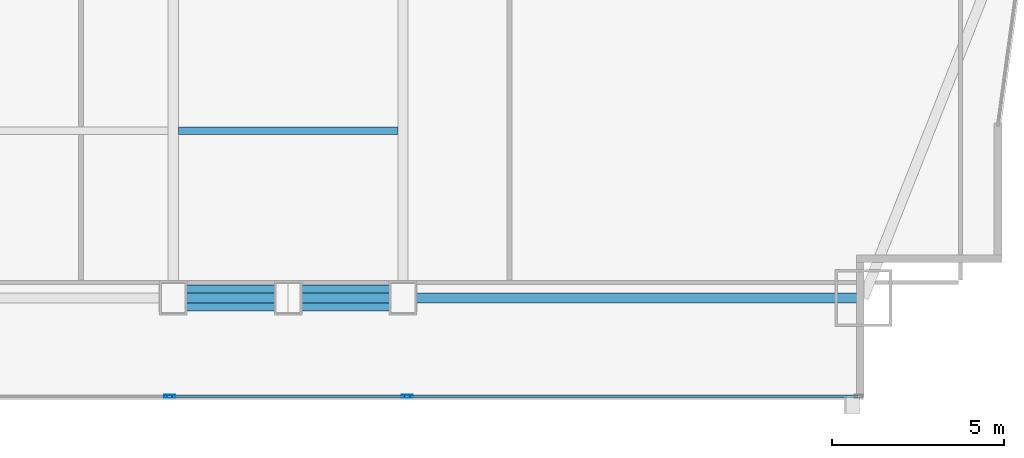
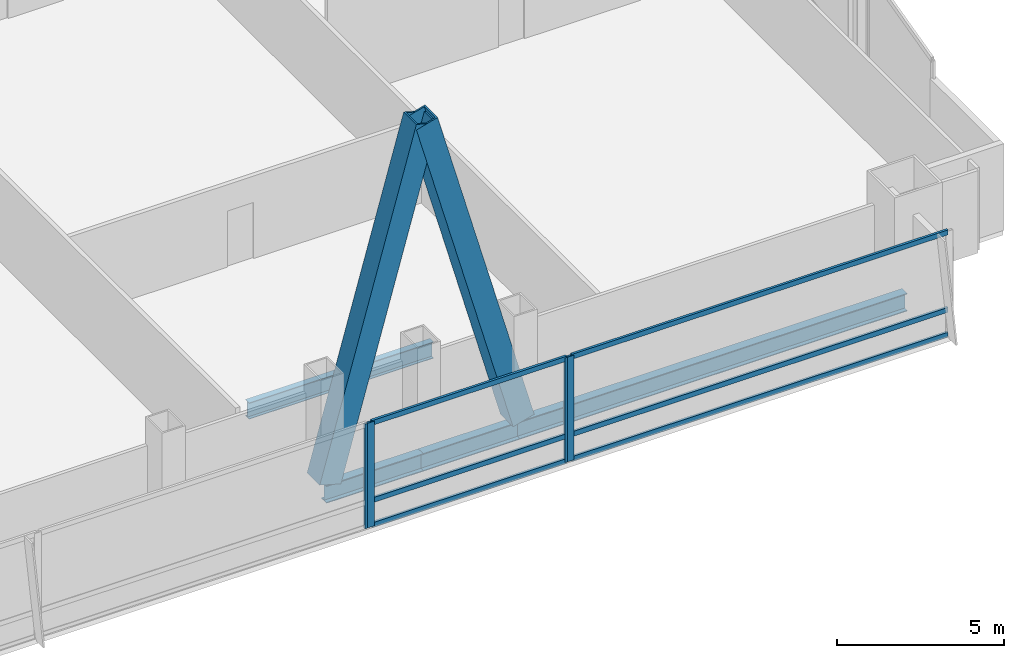
# One storey, part 14 of 35: 12 members, 4 beams, 3 elements without a shape of their own.
"""IFC4 building model written with IfcOpenShell, lengths in metres."""

from ifc_helpers import new_model, si_unit, direction, frame, origin, origin_2d, place, context, subcontext, project, spatial, hollow_rectangle, i_section, extrude, material, material_profile, profile_set, type_object, element, aggregate, save


model = new_model("IFC4")

# Units and contexts
model_context = context("Model", 3, precision=1e-05, world=origin(), true_north=direction((0.0, 1.0)))
body_context = subcontext(model_context, "Body", "Model", "MODEL_VIEW")
ifc_project = project(units=[si_unit("LENGTHUNIT", "METRE"), si_unit("AREAUNIT", "SQUARE_METRE"), si_unit("VOLUMEUNIT", "CUBIC_METRE"), si_unit("PLANEANGLEUNIT", "RADIAN"), si_unit("MASSUNIT", "GRAM", prefix="KILO")], contexts=[model_context])

# Site, building, storey
site_placement = place(None, origin())
site = spatial("IfcSite", under=ifc_project, at=site_placement, CompositionType="ELEMENT")
building_placement = place(site_placement, origin())
building = spatial("IfcBuilding", under=site, at=building_placement, Name="Khoronbel Lancet Exchange", CompositionType="ELEMENT")
storey_placement = place(building_placement, frame((0.0, 0.0, 37.800048828125)))
storey = spatial("IfcBuildingStorey", under=building, at=storey_placement, Name="L08", CompositionType="ELEMENT", Elevation=37.800048828125)

# Beams
ifc_material_1 = material(Name="Steel S355", Category="steel")
ifc_material_profile_1 = material_profile(ifc_material_1, i_section(OverallWidth=0.219970703125, OverallDepth=0.60009765625, WebThickness=0.011962890625, FlangeThickness=0.01904296875, at=origin_2d()), Name="IPE 600")
ifc_profile_set_1 = profile_set([ifc_material_profile_1], Name="Steel S355")
beam_type_1 = type_object("IfcBeamType", Name="BM-BJ1", PredefinedType="JOIST", material=ifc_profile_set_1)
beam_1_placement = place(storey_placement, frame((48.14990234375, 15.0, -0.47998046875), z_axis=(1.0, 0.0, 0.0), x_axis=(0.0, 1.0, 0.0)))
element("IfcBeam", 1, at=beam_1_placement, inside=storey, type_object=beam_type_1, Name="Level L08 secondary composite joist J05", PredefinedType="JOIST", context=body_context, shape_type="SweptSolid", body=[
    extrude(i_section(OverallWidth=0.219970703125, OverallDepth=0.60009765625, WebThickness=0.011962890625, FlangeThickness=0.01904296875, at=origin_2d()), origin(), (0.0, 0.0, 1.0), 6.375),
])
ifc_material_profile_2 = material_profile(ifc_material_1, i_section(OverallWidth=0.300048828125, OverallDepth=0.64990234375, WebThickness=0.01611328125, FlangeThickness=0.031005859375, at=origin_2d()), Name="HEB 650")
ifc_profile_set_2 = profile_set([ifc_material_profile_2], Name="Steel S355")
beam_type_2 = type_object("IfcBeamType", Name="BM-BSP1", PredefinedType="SPANDREL", material=ifc_profile_set_2)
beam_2_placement = place(storey_placement, frame((48.0, 10.14990234375, -0.505126953125), z_axis=(1.0, 0.0, 0.0), x_axis=(0.0, 1.0, 0.0)))
element("IfcBeam", 2, at=beam_2_placement, inside=storey, type_object=beam_type_2, Name="Level L08 perimeter spandrel beam SP07", PredefinedType="SPANDREL", context=body_context, shape_type="SweptSolid", body=[
    extrude(i_section(OverallWidth=0.300048828125, OverallDepth=0.64990234375, WebThickness=0.01611328125, FlangeThickness=0.031005859375, at=origin_2d()), origin(), (0.0, 0.0, 1.0), 3.33740234375),
])
beam_3_placement = place(storey_placement, frame((51.33740234375, 10.14990234375, -0.505126953125), z_axis=(1.0, 0.0, 0.0), x_axis=(0.0, 1.0, 0.0)))
element("IfcBeam", 3, at=beam_3_placement, inside=storey, type_object=beam_type_2, Name="Level L08 perimeter spandrel beam SP08", PredefinedType="SPANDREL", context=body_context, shape_type="SweptSolid", body=[
    extrude(i_section(OverallWidth=0.300048828125, OverallDepth=0.64990234375, WebThickness=0.01611328125, FlangeThickness=0.031005859375, at=origin_2d()), origin(), (0.0, 0.0, 1.0), 3.337646484375),
])
beam_4_placement = place(storey_placement, frame((54.675048828125, 10.14990234375, -0.505126953125), z_axis=(1.0, 0.0, 0.0), x_axis=(0.0, 1.0, 0.0)))
element("IfcBeam", 4, at=beam_4_placement, inside=storey, type_object=beam_type_2, Name="Level L08 perimeter spandrel beam SP09", PredefinedType="SPANDREL", context=body_context, shape_type="SweptSolid", body=[
    extrude(i_section(OverallWidth=0.300048828125, OverallDepth=0.64990234375, WebThickness=0.01611328125, FlangeThickness=0.031005859375, at=origin_2d()), origin(), (0.0, 0.0, 1.0), 13.375),
])

# Curtain wall, member
ifc_material_2 = material(Name="Low-E Solar Control Insulating Glass", Category="glass")
curtain_wall_type = type_object("IfcCurtainWallType", Name="CW-1", PredefinedType="NOTDEFINED", material=ifc_material_2)
curtain_wall_1_placement = place(storey_placement, origin())
curtain_wall_1 = element("IfcCurtainWall", 5, at=curtain_wall_1_placement, inside=storey, type_object=curtain_wall_type, Name="Unitised curtain wall CW-L08-SCV", PredefinedType="NOTDEFINED")
ifc_material_3 = material(Name="Bronze-Anodised Aluminium 6063-T6", Category="aluminium")
ifc_material_profile_3 = material_profile(ifc_material_3, hollow_rectangle(XDim=0.0849609375, YDim=0.239990234375, WallThickness=0.006103515625, at=origin_2d()), Name="ALU MULLION 85x240")
ifc_profile_set_3 = profile_set([ifc_material_profile_3], Name="Bronze-Anodised Aluminium 6063-T6")
member_type_1 = type_object("IfcMemberType", Name="MEM-CWM1", PredefinedType="MULLION", material=ifc_profile_set_3)
member_1_placement = place(storey_placement, frame((47.857421875, 7.2900390625, 0.0), z_axis=(0.0, 0.0, 1.0), x_axis=(0.0, 1.0, 0.0)))
member_1 = element("IfcMember", 6, at=member_1_placement, type_object=member_type_1, Name="CW1 mullion 3", PredefinedType="MULLION", context=body_context, shape_type="SweptSolid", body=[
    extrude(hollow_rectangle(XDim=0.0849609375, YDim=0.239990234375, WallThickness=0.006103515625, at=origin_2d()), origin(), (0.0, 0.0, 1.0), 3.820068359375),
])
aggregate(curtain_wall_1, [member_1])

# Curtain wall, members
curtain_wall_2_placement = place(storey_placement, origin())
curtain_wall_2 = element("IfcCurtainWall", 7, at=curtain_wall_2_placement, inside=storey, type_object=curtain_wall_type, Name="Unitised curtain wall CW-L08-SEB", PredefinedType="NOTDEFINED")
member_2_placement = place(storey_placement, frame((47.9423828125, 7.2900390625, 0.0), z_axis=(0.0, 0.0, 1.0), x_axis=(0.0, 1.0, 0.0)))
member_2 = element("IfcMember", 8, at=member_2_placement, type_object=member_type_1, Name="CW1 mullion 1", PredefinedType="MULLION", context=body_context, shape_type="SweptSolid", body=[
    extrude(hollow_rectangle(XDim=0.0849609375, YDim=0.239990234375, WallThickness=0.006103515625, at=origin_2d()), origin(), (0.0, 0.0, 1.0), 3.820068359375),
])
member_3_placement = place(storey_placement, frame((54.757568359375, 7.2900390625, 0.0), z_axis=(0.0, 0.0, 1.0), x_axis=(0.0, 1.0, 0.0)))
member_3 = element("IfcMember", 9, at=member_3_placement, type_object=member_type_1, Name="CW1 mullion 2", PredefinedType="MULLION", context=body_context, shape_type="SweptSolid", body=[
    extrude(hollow_rectangle(XDim=0.0849609375, YDim=0.239990234375, WallThickness=0.006103515625, at=origin_2d()), origin(), (0.0, 0.0, 1.0), 3.820068359375),
])

# Curtain wall, member
curtain_wall_3_placement = place(storey_placement, origin())
curtain_wall_3 = element("IfcCurtainWall", 10, at=curtain_wall_3_placement, inside=storey, type_object=curtain_wall_type, Name="Unitised curtain wall CW-L08-SEV", PredefinedType="NOTDEFINED")
member_4_placement = place(storey_placement, frame((54.842529296875, 7.2900390625, 0.0), z_axis=(0.0, 0.0, 1.0), x_axis=(0.0, 1.0, 0.0)))
member_4 = element("IfcMember", 11, at=member_4_placement, type_object=member_type_1, Name="CW1 mullion 1", PredefinedType="MULLION", context=body_context, shape_type="SweptSolid", body=[
    extrude(hollow_rectangle(XDim=0.0849609375, YDim=0.239990234375, WallThickness=0.006103515625, at=origin_2d()), origin(), (0.0, 0.0, 1.0), 3.820068359375),
])

# Member
ifc_material_profile_4 = material_profile(ifc_material_3, hollow_rectangle(XDim=0.0849609375, YDim=0.179931640625, WallThickness=0.0048828125, at=origin_2d()), Name="ALU TRANSOM 85x180")
ifc_profile_set_4 = profile_set([ifc_material_profile_4], Name="Bronze-Anodised Aluminium 6063-T6")
member_type_2 = type_object("IfcMemberType", Name="MEM-CWT1", PredefinedType="USERDEFINED", material=ifc_profile_set_4)
member_5_placement = place(storey_placement, frame((47.985107421875, 7.2900390625, 0.04248046875), z_axis=(1.0, 0.0, 0.0), x_axis=(0.0, 1.0, 0.0)))
member_5 = element("IfcMember", 12, at=member_5_placement, type_object=member_type_2, Name="CW1 transom 1.1", ObjectType="TRANSOM", PredefinedType="USERDEFINED", context=body_context, shape_type="SweptSolid", body=[
    extrude(hollow_rectangle(XDim=0.0849609375, YDim=0.179931640625, WallThickness=0.0048828125, at=origin_2d()), origin(), (0.0, 0.0, 1.0), 6.72998046875),
])

member_6_placement = place(storey_placement, frame((47.985107421875, 7.2900390625, 0.949951171875), z_axis=(1.0, 0.0, 0.0), x_axis=(0.0, 1.0, 0.0)))
member_6 = element("IfcMember", 13, at=member_6_placement, type_object=member_type_2, Name="CW1 transom 1.2", ObjectType="TRANSOM", PredefinedType="USERDEFINED", context=body_context, shape_type="SweptSolid", body=[
    extrude(hollow_rectangle(XDim=0.0849609375, YDim=0.179931640625, WallThickness=0.0048828125, at=origin_2d()), origin(), (0.0, 0.0, 1.0), 6.72998046875),
])

member_7_placement = place(storey_placement, frame((47.985107421875, 7.2900390625, 3.77734375), z_axis=(1.0, 0.0, 0.0), x_axis=(0.0, 1.0, 0.0)))
member_7 = element("IfcMember", 14, at=member_7_placement, type_object=member_type_2, Name="CW1 transom 1.3", ObjectType="TRANSOM", PredefinedType="USERDEFINED", context=body_context, shape_type="SweptSolid", body=[
    extrude(hollow_rectangle(XDim=0.0849609375, YDim=0.179931640625, WallThickness=0.0048828125, at=origin_2d()), origin(), (0.0, 0.0, 1.0), 6.72998046875),
])

aggregate(curtain_wall_2, [member_2, member_3, member_5, member_6, member_7])

member_8_placement = place(storey_placement, frame((54.885009765625, 7.2900390625, 0.04248046875), z_axis=(1.0, 0.0, 0.0), x_axis=(0.0, 1.0, 0.0)))
member_8 = element("IfcMember", 15, at=member_8_placement, type_object=member_type_2, Name="CW1 transom 1.1", ObjectType="TRANSOM", PredefinedType="USERDEFINED", context=body_context, shape_type="SweptSolid", body=[
    extrude(hollow_rectangle(XDim=0.0849609375, YDim=0.179931640625, WallThickness=0.0048828125, at=origin_2d()), origin(), (0.0, 0.0, 1.0), 12.989990234375),
])

member_9_placement = place(storey_placement, frame((54.885009765625, 7.2900390625, 0.949951171875), z_axis=(1.0, 0.0, 0.0), x_axis=(0.0, 1.0, 0.0)))
member_9 = element("IfcMember", 16, at=member_9_placement, type_object=member_type_2, Name="CW1 transom 1.2", ObjectType="TRANSOM", PredefinedType="USERDEFINED", context=body_context, shape_type="SweptSolid", body=[
    extrude(hollow_rectangle(XDim=0.0849609375, YDim=0.179931640625, WallThickness=0.0048828125, at=origin_2d()), origin(), (0.0, 0.0, 1.0), 12.989990234375),
])

member_10_placement = place(storey_placement, frame((54.885009765625, 7.2900390625, 3.77734375), z_axis=(1.0, 0.0, 0.0), x_axis=(0.0, 1.0, 0.0)))
member_10 = element("IfcMember", 17, at=member_10_placement, type_object=member_type_2, Name="CW1 transom 1.3", ObjectType="TRANSOM", PredefinedType="USERDEFINED", context=body_context, shape_type="SweptSolid", body=[
    extrude(hollow_rectangle(XDim=0.0849609375, YDim=0.179931640625, WallThickness=0.0048828125, at=origin_2d()), origin(), (0.0, 0.0, 1.0), 12.989990234375),
])

aggregate(curtain_wall_3, [member_4, member_8, member_9, member_10])

# Members
ifc_material_4 = material(Name="Steel S460", Category="steel")
ifc_material_profile_5 = material_profile(ifc_material_4, hollow_rectangle(XDim=0.760009765625, YDim=0.760009765625, WallThickness=0.054931640625, at=origin_2d()), Name="BOX 760x760x55")
ifc_profile_set_5 = profile_set([ifc_material_profile_5], Name="Steel S460")
member_type_3 = type_object("IfcMemberType", Name="MEM-MB1", PredefinedType="BRACE", material=ifc_profile_set_5)
for number, where, z_axis, x_axis, name in (
    (18, (48.0, 10.14990234375, 0.0), (0.267947134133, 0.0, 0.963433616452), (0.0, 1.0, 0.0), "Perimeter lancet brace tier 2 S-E-L"),
    (19, (54.675048828125, 10.14990234375, 0.0), (-0.267965327822, 0.0, 0.963428556295), (0.0, -1.0, 0.0), "Perimeter lancet brace tier 2 S-E-R"),
):
    element("IfcMember", number, at=place(storey_placement, frame(where, z_axis=z_axis, x_axis=x_axis)), inside=storey, type_object=member_type_3, Name=name, PredefinedType="BRACE", context=body_context, shape_type="SweptSolid", body=[
        extrude(hollow_rectangle(XDim=0.760009765625, YDim=0.760009765625, WallThickness=0.054931640625, at=origin_2d()), origin(), (0.0, 0.0, 1.0), 12.45556640625),
    ])

save(model, "model.ifc")
